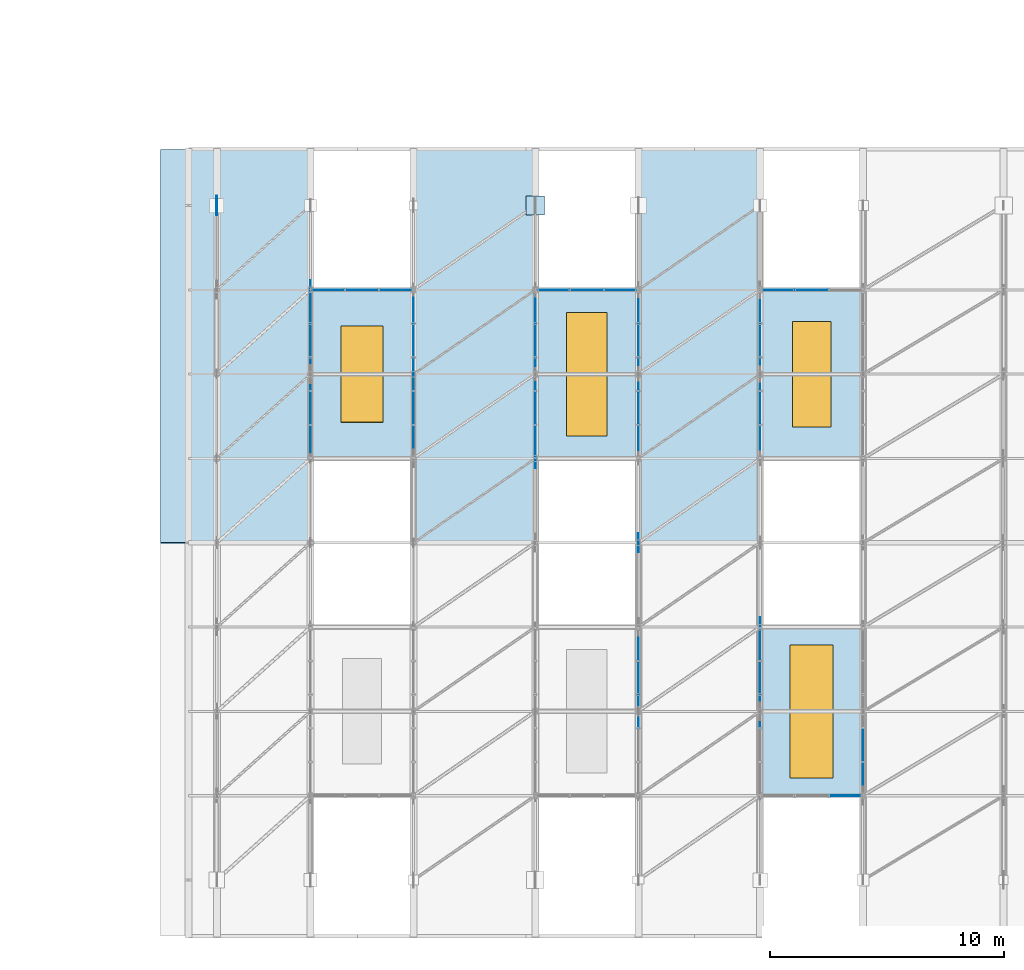
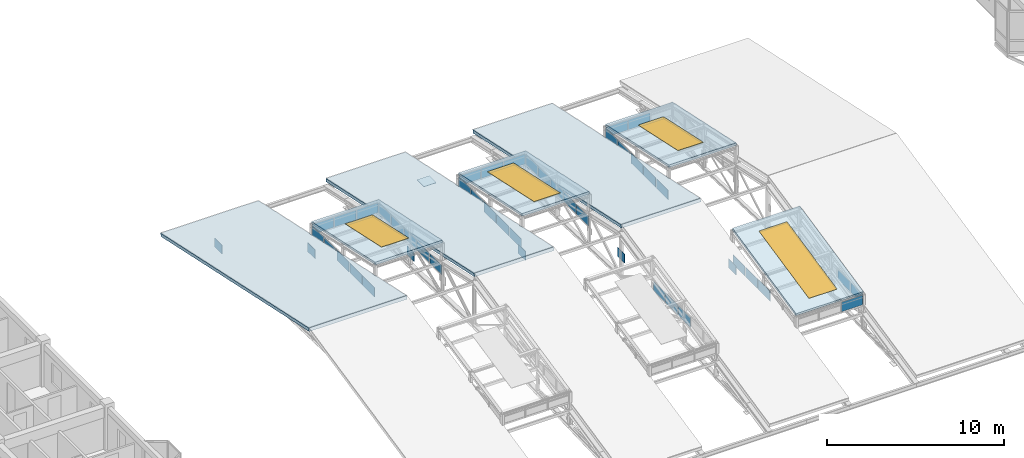
# One storey, part 80 of 124: 49 plates, 7 slabs, 4 windows, 4 openings, 12 elements without a shape of their own.
"""IFC4 building model written with IfcOpenShell, lengths in metres."""

from ifc_helpers import new_model, si_unit, direction, frame, origin, origin_2d, place, context, subcontext, project, spatial, polyline, rectangle, outline, extrude, material, layer, layer_set, type_object, element, fill, aggregate, save


model = new_model("IFC4")

# Units and contexts
model_context = context("Model", 3, precision=1e-05, world=origin(), true_north=direction((0.0, 1.0)))
body_context = subcontext(model_context, "Body", "Model", "MODEL_VIEW")
ifc_project = project(units=[si_unit("LENGTHUNIT", "METRE"), si_unit("AREAUNIT", "SQUARE_METRE"), si_unit("VOLUMEUNIT", "CUBIC_METRE"), si_unit("PLANEANGLEUNIT", "RADIAN"), si_unit("MASSUNIT", "GRAM", prefix="KILO"), si_unit("THERMODYNAMICTEMPERATUREUNIT", "KELVIN"), si_unit("POWERUNIT", "WATT")], contexts=[model_context])

# Site, building, storey
site_placement = place(None, origin())
site = spatial("IfcSite", under=ifc_project, at=site_placement, CompositionType="ELEMENT")
building_placement = place(site_placement, origin())
building = spatial("IfcBuilding", under=site, at=building_placement, Name="Tavuni Mirador Residences", CompositionType="ELEMENT")
storey_placement = place(building_placement, frame((0.0, 0.0, 7.64990234375)))
storey = spatial("IfcBuildingStorey", under=building, at=storey_placement, Name="L02", CompositionType="ELEMENT", Elevation=7.64990234375)

# Curtain wall, plates
ifc_material_1 = material(Name="Anodised aluminium", Category="aluminium")
ifc_layer_1 = layer(ifc_material_1, 0.199951171875, Name="Anodised aluminium", Category="aluminium")
ifc_layer_set_1 = layer_set([ifc_layer_1], Name="Anodised aluminium")
curtain_wall_type = type_object("IfcCurtainWallType", Name="CWT-HAL-01", PredefinedType="NOTDEFINED", material=ifc_layer_set_1)
curtain_wall_1_placement = place(storey_placement, origin())
curtain_wall_1 = element("IfcCurtainWall", 1, at=curtain_wall_1_placement, inside=storey, type_object=curtain_wall_type, Name="CW-HALL-MON-N1-W", PredefinedType="NOTDEFINED")
ifc_material_2 = material(Name="Laminated solar-control glass", Category="glass")
ifc_layer_2 = layer(ifc_material_2, 0.02392578125, Name="Laminated solar-control glass", Category="glass")
ifc_layer_set_2 = layer_set([ifc_layer_2], Name="Laminated solar-control glass")
plate_type_1 = type_object("IfcPlateType", Name="CWP-GL24", PredefinedType="CURTAIN_PANEL", material=ifc_layer_set_2)
plate_1_placement = place(storey_placement, frame((44.800048828125, 90.735107421875, 1.235107421875), z_axis=(0.0, 0.0, 1.0), x_axis=(0.0, 1.0, 0.0)))
plate_1 = element("IfcPlate", 2, at=plate_1_placement, type_object=plate_type_1, Name="CW-06 panel 1.1", PredefinedType="CURTAIN_PANEL", context=body_context, shape_type="SweptSolid", body=[
    extrude(rectangle(XDim=1.35009765625, YDim=0.02392578125, at=origin_2d()), origin(), (0.0, 0.0, 1.0), 0.669921875),
])
plate_2_placement = place(storey_placement, frame((44.800048828125, 92.159912109375, 1.235107421875), z_axis=(0.0, 0.0, 1.0), x_axis=(0.0, 1.0, 0.0)))
plate_2 = element("IfcPlate", 3, at=plate_2_placement, type_object=plate_type_1, Name="CW-06 panel 2.1", PredefinedType="CURTAIN_PANEL", context=body_context, shape_type="SweptSolid", body=[
    extrude(rectangle(XDim=1.3798828125, YDim=0.02392578125, at=origin_2d()), origin(), (0.0, 0.0, 1.0), 0.669921875),
])
plate_3_placement = place(storey_placement, frame((44.800048828125, 93.60009765625, 1.235107421875), z_axis=(0.0, 0.0, 1.0), x_axis=(0.0, 1.0, 0.0)))
plate_3 = element("IfcPlate", 4, at=plate_3_placement, type_object=plate_type_1, Name="CW-06 panel 3.1", PredefinedType="CURTAIN_PANEL", context=body_context, shape_type="SweptSolid", body=[
    extrude(rectangle(XDim=1.3798828125, YDim=0.02392578125, at=origin_2d()), origin(), (0.0, 0.0, 1.0), 0.669921875),
])
plate_4_placement = place(storey_placement, frame((44.800048828125, 95.0400390625, 1.235107421875), z_axis=(0.0, 0.0, 1.0), x_axis=(0.0, 1.0, 0.0)))
plate_4 = element("IfcPlate", 5, at=plate_4_placement, type_object=plate_type_1, Name="CW-06 panel 4.1", PredefinedType="CURTAIN_PANEL", context=body_context, shape_type="SweptSolid", body=[
    extrude(rectangle(XDim=1.3798828125, YDim=0.02392578125, at=origin_2d()), origin(), (0.0, 0.0, 1.0), 0.669921875),
])
plate_5_placement = place(storey_placement, frame((44.800048828125, 96.465087890625, 1.235107421875), z_axis=(0.0, 0.0, 1.0), x_axis=(0.0, 1.0, 0.0)))
plate_5 = element("IfcPlate", 6, at=plate_5_placement, type_object=plate_type_1, Name="CW-06 panel 5.1", PredefinedType="CURTAIN_PANEL", context=body_context, shape_type="SweptSolid", body=[
    extrude(rectangle(XDim=1.35009765625, YDim=0.02392578125, at=origin_2d()), origin(), (0.0, 0.0, 1.0), 0.669921875),
])
aggregate(curtain_wall_1, [plate_1, plate_2, plate_3, plate_4, plate_5])

curtain_wall_2_placement = place(storey_placement, origin())
curtain_wall_2 = element("IfcCurtainWall", 7, at=curtain_wall_2_placement, inside=storey, type_object=curtain_wall_type, Name="CW-HALL-MON-N1-E", PredefinedType="NOTDEFINED")
plate_6_placement = place(storey_placement, frame((49.199951171875, 90.735107421875, 1.235107421875), z_axis=(0.0, 0.0, 1.0), x_axis=(0.0, 1.0, 0.0)))
plate_6 = element("IfcPlate", 8, at=plate_6_placement, type_object=plate_type_1, Name="CW-06 panel 1.1", PredefinedType="CURTAIN_PANEL", context=body_context, shape_type="SweptSolid", body=[
    extrude(rectangle(XDim=1.35009765625, YDim=0.02392578125, at=origin_2d()), origin(), (0.0, 0.0, 1.0), 0.669921875),
])
plate_7_placement = place(storey_placement, frame((49.199951171875, 92.159912109375, 1.235107421875), z_axis=(0.0, 0.0, 1.0), x_axis=(0.0, 1.0, 0.0)))
plate_7 = element("IfcPlate", 9, at=plate_7_placement, type_object=plate_type_1, Name="CW-06 panel 2.1", PredefinedType="CURTAIN_PANEL", context=body_context, shape_type="SweptSolid", body=[
    extrude(rectangle(XDim=1.3798828125, YDim=0.02392578125, at=origin_2d()), origin(), (0.0, 0.0, 1.0), 0.669921875),
])
plate_8_placement = place(storey_placement, frame((49.199951171875, 93.60009765625, 1.235107421875), z_axis=(0.0, 0.0, 1.0), x_axis=(0.0, 1.0, 0.0)))
plate_8 = element("IfcPlate", 10, at=plate_8_placement, type_object=plate_type_1, Name="CW-06 panel 3.1", PredefinedType="CURTAIN_PANEL", context=body_context, shape_type="SweptSolid", body=[
    extrude(rectangle(XDim=1.3798828125, YDim=0.02392578125, at=origin_2d()), origin(), (0.0, 0.0, 1.0), 0.669921875),
])
plate_9_placement = place(storey_placement, frame((49.199951171875, 95.0400390625, 1.235107421875), z_axis=(0.0, 0.0, 1.0), x_axis=(0.0, 1.0, 0.0)))
plate_9 = element("IfcPlate", 11, at=plate_9_placement, type_object=plate_type_1, Name="CW-06 panel 4.1", PredefinedType="CURTAIN_PANEL", context=body_context, shape_type="SweptSolid", body=[
    extrude(rectangle(XDim=1.3798828125, YDim=0.02392578125, at=origin_2d()), origin(), (0.0, 0.0, 1.0), 0.669921875),
])
plate_10_placement = place(storey_placement, frame((49.199951171875, 96.465087890625, 1.235107421875), z_axis=(0.0, 0.0, 1.0), x_axis=(0.0, 1.0, 0.0)))
plate_10 = element("IfcPlate", 12, at=plate_10_placement, type_object=plate_type_1, Name="CW-06 panel 5.1", PredefinedType="CURTAIN_PANEL", context=body_context, shape_type="SweptSolid", body=[
    extrude(rectangle(XDim=1.35009765625, YDim=0.02392578125, at=origin_2d()), origin(), (0.0, 0.0, 1.0), 0.669921875),
])
aggregate(curtain_wall_2, [plate_6, plate_7, plate_8, plate_9, plate_10])

curtain_wall_3_placement = place(storey_placement, origin())
curtain_wall_3 = element("IfcCurtainWall", 13, at=curtain_wall_3_placement, inside=storey, type_object=curtain_wall_type, Name="CW-HALL-MON-S2-E", PredefinedType="NOTDEFINED")
plate_11_placement = place(storey_placement, frame((58.800048828125, 79.199951171875, 1.235107421875), z_axis=(0.0, 0.0, 1.0), x_axis=(0.0, 1.0, 0.0)))
plate_11 = element("IfcPlate", 14, at=plate_11_placement, type_object=plate_type_1, Name="CW-06 panel 3.1", PredefinedType="CURTAIN_PANEL", context=body_context, shape_type="SweptSolid", body=[
    extrude(rectangle(XDim=1.3798828125, YDim=0.02392578125, at=origin_2d()), origin(), (0.0, 0.0, 1.0), 0.669921875),
])
plate_12_placement = place(storey_placement, frame((58.800048828125, 80.639892578125, 1.235107421875), z_axis=(0.0, 0.0, 1.0), x_axis=(0.0, 1.0, 0.0)))
plate_12 = element("IfcPlate", 15, at=plate_12_placement, type_object=plate_type_1, Name="CW-06 panel 4.1", PredefinedType="CURTAIN_PANEL", context=body_context, shape_type="SweptSolid", body=[
    extrude(rectangle(XDim=1.3798828125, YDim=0.02392578125, at=origin_2d()), origin(), (0.0, 0.0, 1.0), 0.669921875),
])
plate_13_placement = place(storey_placement, frame((58.800048828125, 82.06494140625, 1.235107421875), z_axis=(0.0, 0.0, 1.0), x_axis=(0.0, 1.0, 0.0)))
plate_13 = element("IfcPlate", 16, at=plate_13_placement, type_object=plate_type_1, Name="CW-06 panel 5.1", PredefinedType="CURTAIN_PANEL", context=body_context, shape_type="SweptSolid", body=[
    extrude(rectangle(XDim=1.35009765625, YDim=0.02392578125, at=origin_2d()), origin(), (0.0, 0.0, 1.0), 0.669921875),
])
aggregate(curtain_wall_3, [plate_11, plate_12, plate_13])

curtain_wall_4_placement = place(storey_placement, origin())
curtain_wall_4 = element("IfcCurtainWall", 17, at=curtain_wall_4_placement, inside=storey, type_object=curtain_wall_type, Name="CW-HALL-MON-N2-W", PredefinedType="NOTDEFINED")
plate_14_placement = place(storey_placement, frame((54.39990234375, 90.735107421875, 1.235107421875), z_axis=(0.0, 0.0, 1.0), x_axis=(0.0, 1.0, 0.0)))
plate_14 = element("IfcPlate", 18, at=plate_14_placement, type_object=plate_type_1, Name="CW-06 panel 1.1", PredefinedType="CURTAIN_PANEL", context=body_context, shape_type="SweptSolid", body=[
    extrude(rectangle(XDim=1.35009765625, YDim=0.02392578125, at=origin_2d()), origin(), (0.0, 0.0, 1.0), 0.669921875),
])
plate_15_placement = place(storey_placement, frame((54.39990234375, 92.159912109375, 1.235107421875), z_axis=(0.0, 0.0, 1.0), x_axis=(0.0, 1.0, 0.0)))
plate_15 = element("IfcPlate", 19, at=plate_15_placement, type_object=plate_type_1, Name="CW-06 panel 2.1", PredefinedType="CURTAIN_PANEL", context=body_context, shape_type="SweptSolid", body=[
    extrude(rectangle(XDim=1.3798828125, YDim=0.02392578125, at=origin_2d()), origin(), (0.0, 0.0, 1.0), 0.669921875),
])
plate_16_placement = place(storey_placement, frame((54.39990234375, 93.60009765625, 1.235107421875), z_axis=(0.0, 0.0, 1.0), x_axis=(0.0, 1.0, 0.0)))
plate_16 = element("IfcPlate", 20, at=plate_16_placement, type_object=plate_type_1, Name="CW-06 panel 3.1", PredefinedType="CURTAIN_PANEL", context=body_context, shape_type="SweptSolid", body=[
    extrude(rectangle(XDim=1.3798828125, YDim=0.02392578125, at=origin_2d()), origin(), (0.0, 0.0, 1.0), 0.669921875),
])
plate_17_placement = place(storey_placement, frame((54.39990234375, 95.0400390625, 1.235107421875), z_axis=(0.0, 0.0, 1.0), x_axis=(0.0, 1.0, 0.0)))
plate_17 = element("IfcPlate", 21, at=plate_17_placement, type_object=plate_type_1, Name="CW-06 panel 4.1", PredefinedType="CURTAIN_PANEL", context=body_context, shape_type="SweptSolid", body=[
    extrude(rectangle(XDim=1.3798828125, YDim=0.02392578125, at=origin_2d()), origin(), (0.0, 0.0, 1.0), 0.669921875),
])
plate_18_placement = place(storey_placement, frame((54.39990234375, 96.465087890625, 1.235107421875), z_axis=(0.0, 0.0, 1.0), x_axis=(0.0, 1.0, 0.0)))
plate_18 = element("IfcPlate", 22, at=plate_18_placement, type_object=plate_type_1, Name="CW-06 panel 5.1", PredefinedType="CURTAIN_PANEL", context=body_context, shape_type="SweptSolid", body=[
    extrude(rectangle(XDim=1.35009765625, YDim=0.02392578125, at=origin_2d()), origin(), (0.0, 0.0, 1.0), 0.669921875),
])
aggregate(curtain_wall_4, [plate_14, plate_15, plate_16, plate_17, plate_18])

curtain_wall_5_placement = place(storey_placement, origin())
curtain_wall_5 = element("IfcCurtainWall", 23, at=curtain_wall_5_placement, inside=storey, type_object=curtain_wall_type, Name="CW-HALL-MON-N2-E", PredefinedType="NOTDEFINED")
plate_19_placement = place(storey_placement, frame((58.800048828125, 90.735107421875, 1.235107421875), z_axis=(0.0, 0.0, 1.0), x_axis=(0.0, 1.0, 0.0)))
plate_19 = element("IfcPlate", 24, at=plate_19_placement, type_object=plate_type_1, Name="CW-06 panel 1.1", PredefinedType="CURTAIN_PANEL", context=body_context, shape_type="SweptSolid", body=[
    extrude(rectangle(XDim=1.35009765625, YDim=0.02392578125, at=origin_2d()), origin(), (0.0, 0.0, 1.0), 0.669921875),
])
plate_20_placement = place(storey_placement, frame((58.800048828125, 92.159912109375, 1.235107421875), z_axis=(0.0, 0.0, 1.0), x_axis=(0.0, 1.0, 0.0)))
plate_20 = element("IfcPlate", 25, at=plate_20_placement, type_object=plate_type_1, Name="CW-06 panel 2.1", PredefinedType="CURTAIN_PANEL", context=body_context, shape_type="SweptSolid", body=[
    extrude(rectangle(XDim=1.3798828125, YDim=0.02392578125, at=origin_2d()), origin(), (0.0, 0.0, 1.0), 0.669921875),
])
plate_21_placement = place(storey_placement, frame((58.800048828125, 93.60009765625, 1.235107421875), z_axis=(0.0, 0.0, 1.0), x_axis=(0.0, 1.0, 0.0)))
plate_21 = element("IfcPlate", 26, at=plate_21_placement, type_object=plate_type_1, Name="CW-06 panel 3.1", PredefinedType="CURTAIN_PANEL", context=body_context, shape_type="SweptSolid", body=[
    extrude(rectangle(XDim=1.3798828125, YDim=0.02392578125, at=origin_2d()), origin(), (0.0, 0.0, 1.0), 0.669921875),
])
plate_22_placement = place(storey_placement, frame((58.800048828125, 95.0400390625, 1.235107421875), z_axis=(0.0, 0.0, 1.0), x_axis=(0.0, 1.0, 0.0)))
plate_22 = element("IfcPlate", 27, at=plate_22_placement, type_object=plate_type_1, Name="CW-06 panel 4.1", PredefinedType="CURTAIN_PANEL", context=body_context, shape_type="SweptSolid", body=[
    extrude(rectangle(XDim=1.3798828125, YDim=0.02392578125, at=origin_2d()), origin(), (0.0, 0.0, 1.0), 0.669921875),
])
plate_23_placement = place(storey_placement, frame((58.800048828125, 96.465087890625, 1.235107421875), z_axis=(0.0, 0.0, 1.0), x_axis=(0.0, 1.0, 0.0)))
plate_23 = element("IfcPlate", 28, at=plate_23_placement, type_object=plate_type_1, Name="CW-06 panel 5.1", PredefinedType="CURTAIN_PANEL", context=body_context, shape_type="SweptSolid", body=[
    extrude(rectangle(XDim=1.35009765625, YDim=0.02392578125, at=origin_2d()), origin(), (0.0, 0.0, 1.0), 0.669921875),
])
aggregate(curtain_wall_5, [plate_19, plate_20, plate_21, plate_22, plate_23])

curtain_wall_6_placement = place(storey_placement, origin())
curtain_wall_6 = element("IfcCurtainWall", 29, at=curtain_wall_6_placement, inside=storey, type_object=curtain_wall_type, Name="CW-HALL-MON-S3-W", PredefinedType="NOTDEFINED")
plate_24_placement = place(storey_placement, frame((64.0, 79.199951171875, 1.235107421875), z_axis=(0.0, 0.0, 1.0), x_axis=(0.0, 1.0, 0.0)))
plate_24 = element("IfcPlate", 30, at=plate_24_placement, type_object=plate_type_1, Name="CW-06 panel 3.1", PredefinedType="CURTAIN_PANEL", context=body_context, shape_type="SweptSolid", body=[
    extrude(rectangle(XDim=1.3798828125, YDim=0.02392578125, at=origin_2d()), origin(), (0.0, 0.0, 1.0), 0.669921875),
])
plate_25_placement = place(storey_placement, frame((64.0, 80.639892578125, 1.235107421875), z_axis=(0.0, 0.0, 1.0), x_axis=(0.0, 1.0, 0.0)))
plate_25 = element("IfcPlate", 31, at=plate_25_placement, type_object=plate_type_1, Name="CW-06 panel 4.1", PredefinedType="CURTAIN_PANEL", context=body_context, shape_type="SweptSolid", body=[
    extrude(rectangle(XDim=1.3798828125, YDim=0.02392578125, at=origin_2d()), origin(), (0.0, 0.0, 1.0), 0.669921875),
])
plate_26_placement = place(storey_placement, frame((64.0, 82.06494140625, 1.235107421875), z_axis=(0.0, 0.0, 1.0), x_axis=(0.0, 1.0, 0.0)))
plate_26 = element("IfcPlate", 32, at=plate_26_placement, type_object=plate_type_1, Name="CW-06 panel 5.1", PredefinedType="CURTAIN_PANEL", context=body_context, shape_type="SweptSolid", body=[
    extrude(rectangle(XDim=1.35009765625, YDim=0.02392578125, at=origin_2d()), origin(), (0.0, 0.0, 1.0), 0.669921875),
])
aggregate(curtain_wall_6, [plate_24, plate_25, plate_26])

curtain_wall_7_placement = place(storey_placement, origin())
curtain_wall_7 = element("IfcCurtainWall", 33, at=curtain_wall_7_placement, inside=storey, type_object=curtain_wall_type, Name="CW-HALL-MON-S3-E", PredefinedType="NOTDEFINED")
plate_27_placement = place(storey_placement, frame((68.39990234375, 76.3349609375, 1.235107421875), z_axis=(0.0, 0.0, 1.0), x_axis=(0.0, 1.0, 0.0)))
plate_27 = element("IfcPlate", 34, at=plate_27_placement, type_object=plate_type_1, Name="CW-06 panel 1.1", PredefinedType="CURTAIN_PANEL", context=body_context, shape_type="SweptSolid", body=[
    extrude(rectangle(XDim=1.35009765625, YDim=0.02392578125, at=origin_2d()), origin(), (0.0, 0.0, 1.0), 0.669921875),
])
plate_28_placement = place(storey_placement, frame((68.39990234375, 77.760009765625, 1.235107421875), z_axis=(0.0, 0.0, 1.0), x_axis=(0.0, 1.0, 0.0)))
plate_28 = element("IfcPlate", 35, at=plate_28_placement, type_object=plate_type_1, Name="CW-06 panel 2.1", PredefinedType="CURTAIN_PANEL", context=body_context, shape_type="SweptSolid", body=[
    extrude(rectangle(XDim=1.3798828125, YDim=0.02392578125, at=origin_2d()), origin(), (0.0, 0.0, 1.0), 0.669921875),
])
aggregate(curtain_wall_7, [plate_27, plate_28])

curtain_wall_8_placement = place(storey_placement, origin())
curtain_wall_8 = element("IfcCurtainWall", 36, at=curtain_wall_8_placement, inside=storey, type_object=curtain_wall_type, Name="CW-HALL-MON-N3-W", PredefinedType="NOTDEFINED")
plate_29_placement = place(storey_placement, frame((64.0, 90.735107421875, 1.235107421875), z_axis=(0.0, 0.0, 1.0), x_axis=(0.0, 1.0, 0.0)))
plate_29 = element("IfcPlate", 37, at=plate_29_placement, type_object=plate_type_1, Name="CW-06 panel 1.1", PredefinedType="CURTAIN_PANEL", context=body_context, shape_type="SweptSolid", body=[
    extrude(rectangle(XDim=1.35009765625, YDim=0.02392578125, at=origin_2d()), origin(), (0.0, 0.0, 1.0), 0.669921875),
])
plate_30_placement = place(storey_placement, frame((64.0, 92.159912109375, 1.235107421875), z_axis=(0.0, 0.0, 1.0), x_axis=(0.0, 1.0, 0.0)))
plate_30 = element("IfcPlate", 38, at=plate_30_placement, type_object=plate_type_1, Name="CW-06 panel 2.1", PredefinedType="CURTAIN_PANEL", context=body_context, shape_type="SweptSolid", body=[
    extrude(rectangle(XDim=1.3798828125, YDim=0.02392578125, at=origin_2d()), origin(), (0.0, 0.0, 1.0), 0.669921875),
])
plate_31_placement = place(storey_placement, frame((64.0, 93.60009765625, 1.235107421875), z_axis=(0.0, 0.0, 1.0), x_axis=(0.0, 1.0, 0.0)))
plate_31 = element("IfcPlate", 39, at=plate_31_placement, type_object=plate_type_1, Name="CW-06 panel 3.1", PredefinedType="CURTAIN_PANEL", context=body_context, shape_type="SweptSolid", body=[
    extrude(rectangle(XDim=1.3798828125, YDim=0.02392578125, at=origin_2d()), origin(), (0.0, 0.0, 1.0), 0.669921875),
])
plate_32_placement = place(storey_placement, frame((64.0, 95.0400390625, 1.235107421875), z_axis=(0.0, 0.0, 1.0), x_axis=(0.0, 1.0, 0.0)))
plate_32 = element("IfcPlate", 40, at=plate_32_placement, type_object=plate_type_1, Name="CW-06 panel 4.1", PredefinedType="CURTAIN_PANEL", context=body_context, shape_type="SweptSolid", body=[
    extrude(rectangle(XDim=1.3798828125, YDim=0.02392578125, at=origin_2d()), origin(), (0.0, 0.0, 1.0), 0.669921875),
])
plate_33_placement = place(storey_placement, frame((64.0, 96.465087890625, 1.235107421875), z_axis=(0.0, 0.0, 1.0), x_axis=(0.0, 1.0, 0.0)))
plate_33 = element("IfcPlate", 41, at=plate_33_placement, type_object=plate_type_1, Name="CW-06 panel 5.1", PredefinedType="CURTAIN_PANEL", context=body_context, shape_type="SweptSolid", body=[
    extrude(rectangle(XDim=1.35009765625, YDim=0.02392578125, at=origin_2d()), origin(), (0.0, 0.0, 1.0), 0.669921875),
])
aggregate(curtain_wall_8, [plate_29, plate_30, plate_31, plate_32, plate_33])

curtain_wall_9_placement = place(storey_placement, origin())
curtain_wall_9 = element("IfcCurtainWall", 42, at=curtain_wall_9_placement, inside=storey, type_object=curtain_wall_type, Name="CW-HALL-MON-N1-END", PredefinedType="NOTDEFINED")
ifc_layer_3 = layer(ifc_material_2, 0.028076171875, Name="Laminated solar-control glass", Category="glass")
ifc_layer_set_3 = layer_set([ifc_layer_3], Name="Laminated solar-control glass")
plate_type_2 = type_object("IfcPlateType", Name="CWP-GL28", PredefinedType="CURTAIN_PANEL", material=ifc_layer_set_3)
plate_34_placement = place(storey_placement, frame((45.54833984375, 97.199951171875, 1.235107421875), z_axis=(0.0, 0.0, 1.0), x_axis=(1.0, 0.0, 0.0)))
plate_34 = element("IfcPlate", 43, at=plate_34_placement, type_object=plate_type_2, Name="CW-06 panel 1.1", PredefinedType="CURTAIN_PANEL", context=body_context, shape_type="SweptSolid", body=[
    extrude(rectangle(XDim=1.376708984375, YDim=0.028076171875, at=origin_2d()), origin(), (0.0, 0.0, 1.0), 0.669921875),
])
plate_35_placement = place(storey_placement, frame((47.0, 97.199951171875, 1.235107421875), z_axis=(0.0, 0.0, 1.0), x_axis=(1.0, 0.0, 0.0)))
plate_35 = element("IfcPlate", 44, at=plate_35_placement, type_object=plate_type_2, Name="CW-06 panel 2.1", PredefinedType="CURTAIN_PANEL", context=body_context, shape_type="SweptSolid", body=[
    extrude(rectangle(XDim=1.40673828125, YDim=0.028076171875, at=origin_2d()), origin(), (0.0, 0.0, 1.0), 0.669921875),
])
plate_36_placement = place(storey_placement, frame((48.45166015625, 97.199951171875, 1.235107421875), z_axis=(0.0, 0.0, 1.0), x_axis=(1.0, 0.0, 0.0)))
plate_36 = element("IfcPlate", 45, at=plate_36_placement, type_object=plate_type_2, Name="CW-06 panel 3.1", PredefinedType="CURTAIN_PANEL", context=body_context, shape_type="SweptSolid", body=[
    extrude(rectangle(XDim=1.376708984375, YDim=0.028076171875, at=origin_2d()), origin(), (0.0, 0.0, 1.0), 0.669921875),
])
aggregate(curtain_wall_9, [plate_34, plate_35, plate_36])

curtain_wall_10_placement = place(storey_placement, origin())
curtain_wall_10 = element("IfcCurtainWall", 46, at=curtain_wall_10_placement, inside=storey, type_object=curtain_wall_type, Name="CW-HALL-MON-N2-END", PredefinedType="NOTDEFINED")
plate_37_placement = place(storey_placement, frame((55.1484375, 97.199951171875, 1.235107421875), z_axis=(0.0, 0.0, 1.0), x_axis=(1.0, 0.0, 0.0)))
plate_37 = element("IfcPlate", 47, at=plate_37_placement, type_object=plate_type_2, Name="CW-06 panel 1.1", PredefinedType="CURTAIN_PANEL", context=body_context, shape_type="SweptSolid", body=[
    extrude(rectangle(XDim=1.376708984375, YDim=0.028076171875, at=origin_2d()), origin(), (0.0, 0.0, 1.0), 0.669921875),
])
plate_38_placement = place(storey_placement, frame((56.60009765625, 97.199951171875, 1.235107421875), z_axis=(0.0, 0.0, 1.0), x_axis=(1.0, 0.0, 0.0)))
plate_38 = element("IfcPlate", 48, at=plate_38_placement, type_object=plate_type_2, Name="CW-06 panel 2.1", PredefinedType="CURTAIN_PANEL", context=body_context, shape_type="SweptSolid", body=[
    extrude(rectangle(XDim=1.40673828125, YDim=0.028076171875, at=origin_2d()), origin(), (0.0, 0.0, 1.0), 0.669921875),
])
plate_39_placement = place(storey_placement, frame((58.0517578125, 97.199951171875, 1.235107421875), z_axis=(0.0, 0.0, 1.0), x_axis=(1.0, 0.0, 0.0)))
plate_39 = element("IfcPlate", 49, at=plate_39_placement, type_object=plate_type_2, Name="CW-06 panel 3.1", PredefinedType="CURTAIN_PANEL", context=body_context, shape_type="SweptSolid", body=[
    extrude(rectangle(XDim=1.376708984375, YDim=0.028076171875, at=origin_2d()), origin(), (0.0, 0.0, 1.0), 0.669921875),
])
aggregate(curtain_wall_10, [plate_37, plate_38, plate_39])

# Curtain wall, plate
curtain_wall_11_placement = place(storey_placement, origin())
curtain_wall_11 = element("IfcCurtainWall", 50, at=curtain_wall_11_placement, inside=storey, type_object=curtain_wall_type, Name="CW-HALL-MON-S3-END", PredefinedType="NOTDEFINED")
plate_40_placement = place(storey_placement, frame((67.651611328125, 75.60009765625, 1.235107421875), z_axis=(0.0, 0.0, 1.0), x_axis=(1.0, 0.0, 0.0)))
plate_40 = element("IfcPlate", 51, at=plate_40_placement, type_object=plate_type_2, Name="CW-06 panel 3.1", PredefinedType="CURTAIN_PANEL", context=body_context, shape_type="SweptSolid", body=[
    extrude(rectangle(XDim=1.376708984375, YDim=0.028076171875, at=origin_2d()), origin(), (0.0, 0.0, 1.0), 0.669921875),
])
aggregate(curtain_wall_11, [plate_40])

# Curtain wall, plates
curtain_wall_12_placement = place(storey_placement, origin())
curtain_wall_12 = element("IfcCurtainWall", 52, at=curtain_wall_12_placement, inside=storey, type_object=curtain_wall_type, Name="CW-HALL-MON-N3-END", PredefinedType="NOTDEFINED")
plate_41_placement = place(storey_placement, frame((64.748291015625, 97.199951171875, 1.235107421875), z_axis=(0.0, 0.0, 1.0), x_axis=(1.0, 0.0, 0.0)))
plate_41 = element("IfcPlate", 53, at=plate_41_placement, type_object=plate_type_2, Name="CW-06 panel 1.1", PredefinedType="CURTAIN_PANEL", context=body_context, shape_type="SweptSolid", body=[
    extrude(rectangle(XDim=1.376708984375, YDim=0.028076171875, at=origin_2d()), origin(), (0.0, 0.0, 1.0), 0.669921875),
])
plate_42_placement = place(storey_placement, frame((66.199951171875, 97.199951171875, 1.235107421875), z_axis=(0.0, 0.0, 1.0), x_axis=(1.0, 0.0, 0.0)))
plate_42 = element("IfcPlate", 54, at=plate_42_placement, type_object=plate_type_2, Name="CW-06 panel 2.1", PredefinedType="CURTAIN_PANEL", context=body_context, shape_type="SweptSolid", body=[
    extrude(rectangle(XDim=1.40673828125, YDim=0.028076171875, at=origin_2d()), origin(), (0.0, 0.0, 1.0), 0.669921875),
])
aggregate(curtain_wall_12, [plate_41, plate_42])

# Plates
ifc_material_3 = material(Name="Structural steel S355", Category="steel")
ifc_layer_4 = layer(ifc_material_3, 0.028076171875, Name="Structural steel S355", Category="steel")
ifc_layer_set_4 = layer_set([ifc_layer_4], Name="Structural steel S355")
plate_type_3 = type_object("IfcPlateType", Name="PLT-BP08", PredefinedType="USERDEFINED", material=ifc_layer_set_4)
plate_43_placement = place(storey_placement, frame((54.39990234375, 100.800048828125, -0.65380859375), z_axis=(0.0, 0.0, 1.0), x_axis=(1.0, 0.0, 0.0)))
element("IfcPlate", 55, at=plate_43_placement, inside=storey, type_object=plate_type_3, Name="TR-4-BP-N", ObjectType="BASE PLATE", PredefinedType="USERDEFINED", context=body_context, shape_type="SweptSolid", body=[
    extrude(rectangle(XDim=0.800048828125, YDim=0.800048828125, at=origin_2d()), origin(), (0.0, 0.0, 1.0), 0.028076171875),
])
ifc_layer_5 = layer(ifc_material_3, 0.028076171875, Name="Structural steel S355", Category="steel")
ifc_layer_set_5 = layer_set([ifc_layer_5], Name="Structural steel S355")
plate_type_4 = type_object("IfcPlateType", Name="PLT-GP09", PredefinedType="USERDEFINED", material=ifc_layer_set_5)
for number, where, z_axis, x_axis, name in (
    (56, (40.800048828125, 100.800048828125, -0.64501953125), (0.0, 0.0, 1.0), (0.0, 1.0, 0.0), "TR-1-GP-08"),
    (57, (44.800048828125, 97.199951171875, -0.195068359375), (0.0, 0.0, 1.0), (0.0, 1.0, 0.0), "TR-2-GP-07"),
    (58, (49.199951171875, 93.60009765625, 0.255126953125), (0.0, 0.0, 1.0), (0.0, 1.0, 0.0), "TR-3-GP-06"),
    (59, (54.39990234375, 90.0, 0.705078125), (0.0, 0.0, 1.0), (0.0, 1.0, 0.0), "TR-4-GP-05"),
    (60, (58.800048828125, 86.39990234375, 1.155029296875), (0.0, 0.0, 1.0), (0.0, 1.0, 0.0), "TR-5-GP-04"),
    (61, (64.0, 82.800048828125, 0.705078125), (0.0, 0.0, 1.0), (0.0, 1.0, 0.0), "TR-6-GP-03"),
):
    element("IfcPlate", number, at=place(storey_placement, frame(where, z_axis=z_axis, x_axis=x_axis)), inside=storey, type_object=plate_type_4, Name=name, ObjectType="GUSSET PLATE", PredefinedType="USERDEFINED", context=body_context, shape_type="SweptSolid", body=[
        extrude(rectangle(XDim=0.820068359375, YDim=0.028076171875, at=origin_2d()), origin(), (0.0, 0.0, 1.0), 0.6201171875),
    ])

# Slab, opening, window
ifc_material_4 = material(Name="Precast concrete C40/50", Category="concrete")
ifc_layer_6 = layer(ifc_material_4, 0.155029296875, Name="Precast concrete C40/50", Category="concrete")
ifc_layer_set_6 = layer_set([ifc_layer_6], Name="Precast concrete C40/50")
slab_type_1 = type_object("IfcSlabType", Name="SLT-RF155", PredefinedType="ROOF", material=ifc_layer_set_6)
slab_1_placement = place(storey_placement, frame((44.800048828125, 90.0, 3.675048828125), z_axis=(0.0, 0.21046396071, 0.977601616837), x_axis=(1.0, 0.0, 0.0)))
slab_1 = element("IfcSlab", 62, at=slab_1_placement, inside=storey, type_object=slab_type_1, Name="Community Hall clerestory monitor 1 N roof cap", PredefinedType="ROOF", context=body_context, shape_type="SweptSolid", body=[
    extrude(outline(polyline([(0.0, 0.0), (4.39990234375, 0.0), (4.39990234375, 7.364913322433324), (0.0, 7.364913322433324), (0.0, 0.0)])), origin(), (0.0, 0.0, -1.0), 0.155029296875),
])
opening_1_placement = place(slab_1_placement, frame((2.199951171875, 3.682373046875, 0.0)))
opening_1 = element("IfcOpeningElement", 63, at=opening_1_placement, cuts=slab_1, Name="Opening SK-03", PredefinedType="OPENING", context=body_context, shape_type="SweptSolid", body=[
    extrude(rectangle(XDim=1.780029296875, YDim=4.199951171875, at=origin_2d()), frame((0.0, 0.0, 0.010009765625)), (0.0, 0.0, -1.0), 0.175048828125),
])
window_type_1 = type_object("IfcWindowType", Name="SKT-03", PartitioningType="SINGLE_PANEL", PredefinedType="SKYLIGHT", material=ifc_material_2)
window_1_placement = place(opening_1_placement, origin())
window_1 = element("IfcWindow", 64, at=window_1_placement, inside=storey, type_object=window_type_1, Name="Clerestory skylight SKY-N1", OverallHeight=4.199951171875, OverallWidth=1.780029296875, PartitioningType="SINGLE_PANEL", PredefinedType="SKYLIGHT", context=body_context, shape_type="SweptSolid", body=[
    extrude(rectangle(XDim=1.780029296875, YDim=4.199951171875, at=origin_2d()), origin(), (0.0, 0.0, -1.0), 0.050048828125),
])
fill(opening_1, window_1)

slab_2_placement = place(storey_placement, frame((54.39990234375, 90.0, 3.675048828125), z_axis=(0.0, 0.21046396071, 0.977601616837), x_axis=(1.0, 0.0, 0.0)))
slab_2 = element("IfcSlab", 65, at=slab_2_placement, inside=storey, type_object=slab_type_1, Name="Community Hall clerestory monitor 2 N roof cap", PredefinedType="ROOF", context=body_context, shape_type="SweptSolid", body=[
    extrude(outline(polyline([(0.0, 0.0), (4.400146484375, 0.0), (4.400146484375, 7.364913322433325), (0.0, 7.364913322433325), (0.0, 0.0)])), origin(), (0.0, 0.0, -1.0), 0.155029296875),
])
opening_2_placement = place(slab_2_placement, frame((2.2001953125, 3.682373046875, 0.0)))
opening_2 = element("IfcOpeningElement", 66, at=opening_2_placement, cuts=slab_2, Name="Opening SK-02", PredefinedType="OPENING", context=body_context, shape_type="SweptSolid", body=[
    extrude(rectangle(XDim=1.719970703125, YDim=5.39990234375, at=origin_2d()), frame((0.0, 0.0, 0.010009765625)), (0.0, 0.0, -1.0), 0.175048828125),
])
window_type_2 = type_object("IfcWindowType", Name="SKT-02", PartitioningType="SINGLE_PANEL", PredefinedType="SKYLIGHT", material=ifc_material_2)
window_2_placement = place(opening_2_placement, origin())
window_2 = element("IfcWindow", 67, at=window_2_placement, inside=storey, type_object=window_type_2, Name="Clerestory skylight SKY-N2", OverallHeight=5.39990234375, OverallWidth=1.719970703125, PartitioningType="SINGLE_PANEL", PredefinedType="SKYLIGHT", context=body_context, shape_type="SweptSolid", body=[
    extrude(rectangle(XDim=1.719970703125, YDim=5.39990234375, at=origin_2d()), origin(), (0.0, 0.0, -1.0), 0.050048828125),
])
fill(opening_2, window_2)

slab_3_placement = place(storey_placement, frame((64.0, 75.60009765625, 2.125), z_axis=(0.0, -0.21046396071, 0.977601616837), x_axis=(1.0, 0.0, 0.0)))
slab_3 = element("IfcSlab", 68, at=slab_3_placement, inside=storey, type_object=slab_type_1, Name="Community Hall clerestory monitor 3 S roof cap", PredefinedType="ROOF", context=body_context, shape_type="SweptSolid", body=[
    extrude(outline(polyline([(0.0, 0.0), (4.39990234375, 0.0), (4.39990234375, 7.364913322433324), (0.0, 7.364913322433324), (0.0, 0.0)])), origin(), (0.0, 0.0, -1.0), 0.155029296875),
])
opening_3_placement = place(slab_3_placement, frame((2.199951171875, 3.682373046875, 0.0)))
opening_3 = element("IfcOpeningElement", 69, at=opening_3_placement, cuts=slab_3, Name="Opening SK-04", PredefinedType="OPENING", context=body_context, shape_type="SweptSolid", body=[
    extrude(rectangle(XDim=1.840087890625, YDim=5.800048828125, at=origin_2d()), frame((0.0, 0.0, 0.010009765625)), (0.0, 0.0, -1.0), 0.175048828125),
])
window_type_3 = type_object("IfcWindowType", Name="SKT-04", PartitioningType="SINGLE_PANEL", PredefinedType="SKYLIGHT", material=ifc_material_2)
window_3_placement = place(opening_3_placement, origin())
window_3 = element("IfcWindow", 70, at=window_3_placement, inside=storey, type_object=window_type_3, Name="Clerestory skylight SKY-S3", OverallHeight=5.800048828125, OverallWidth=1.840087890625, PartitioningType="SINGLE_PANEL", PredefinedType="SKYLIGHT", context=body_context, shape_type="SweptSolid", body=[
    extrude(rectangle(XDim=1.840087890625, YDim=5.800048828125, at=origin_2d()), origin(), (0.0, 0.0, -1.0), 0.050048828125),
])
fill(opening_3, window_3)

slab_4_placement = place(storey_placement, frame((64.0, 90.0, 3.675048828125), z_axis=(0.0, 0.21046396071, 0.977601616837), x_axis=(1.0, 0.0, 0.0)))
slab_4 = element("IfcSlab", 71, at=slab_4_placement, inside=storey, type_object=slab_type_1, Name="Community Hall clerestory monitor 3 N roof cap", PredefinedType="ROOF", context=body_context, shape_type="SweptSolid", body=[
    extrude(outline(polyline([(0.0, 0.0), (4.39990234375, 0.0), (4.39990234375, 7.364913322433324), (0.0, 7.364913322433324), (0.0, 0.0)])), origin(), (0.0, 0.0, -1.0), 0.155029296875),
])
opening_4_placement = place(slab_4_placement, frame((2.199951171875, 3.682373046875, 0.0)))
opening_4 = element("IfcOpeningElement", 72, at=opening_4_placement, cuts=slab_4, Name="Opening SK-01", PredefinedType="OPENING", context=body_context, shape_type="SweptSolid", body=[
    extrude(rectangle(XDim=1.64990234375, YDim=4.60009765625, at=origin_2d()), frame((0.0, 0.0, 0.010009765625)), (0.0, 0.0, -1.0), 0.175048828125),
])
window_type_4 = type_object("IfcWindowType", Name="SKT-01", PartitioningType="SINGLE_PANEL", PredefinedType="SKYLIGHT", material=ifc_material_2)
window_4_placement = place(opening_4_placement, origin())
window_4 = element("IfcWindow", 73, at=window_4_placement, inside=storey, type_object=window_type_4, Name="Clerestory skylight SKY-N3", OverallHeight=4.60009765625, OverallWidth=1.64990234375, PartitioningType="SINGLE_PANEL", PredefinedType="SKYLIGHT", context=body_context, shape_type="SweptSolid", body=[
    extrude(rectangle(XDim=1.64990234375, YDim=4.60009765625, at=origin_2d()), origin(), (0.0, 0.0, -1.0), 0.050048828125),
])
fill(opening_4, window_4)

# Slabs
ifc_layer_7 = layer(ifc_material_4, 0.215087890625, Name="Precast concrete C40/50", Category="concrete")
ifc_layer_set_7 = layer_set([ifc_layer_7], Name="Precast concrete C40/50")
slab_type_2 = type_object("IfcSlabType", Name="SLT-RF215", PredefinedType="ROOF", material=ifc_layer_set_7)
slab_5_placement = place(storey_placement, frame((38.39990234375, 86.412109375, 3.550048828125), z_axis=(0.0, 0.210603732115, 0.977571515552), x_axis=(1.0, 0.0, 0.0)))
element("IfcSlab", 74, at=slab_5_placement, inside=storey, type_object=slab_type_2, Name="Community Hall strip 1 north pitched roof slab", PredefinedType="ROOF", context=body_context, shape_type="SweptSolid", body=[
    extrude(outline(polyline([(0.0, 0.0), (6.400146484375, 0.0), (6.400146484375, 17.173006301629606), (0.0, 17.173006301629606), (0.0, 0.0)])), origin(), (0.0, 0.0, -1.0), 0.215087890625),
])
for number, where, z_axis, x_axis, name in (
    (75, (49.199951171875, 86.412109375, 3.550048828125), (0.0, 0.210603732115, 0.977571515552), (1.0, 0.0, 0.0), "Community Hall strip 2 north pitched roof slab"),
    (76, (58.800048828125, 86.412109375, 3.550048828125), (0.0, 0.210603732115, 0.977571515552), (1.0, 0.0, 0.0), "Community Hall strip 3 north pitched roof slab"),
):
    element("IfcSlab", number, at=place(storey_placement, frame(where, z_axis=z_axis, x_axis=x_axis)), inside=storey, type_object=slab_type_2, Name=name, PredefinedType="ROOF", context=body_context, shape_type="SweptSolid", body=[
        extrude(outline(polyline([(0.0, 0.0), (5.199951171875, 0.0), (5.199951171875, 17.173006301629606), (0.0, 17.173006301629606), (0.0, 0.0)])), origin(), (0.0, 0.0, -1.0), 0.215087890625),
    ])

save(model, "model.ifc")
